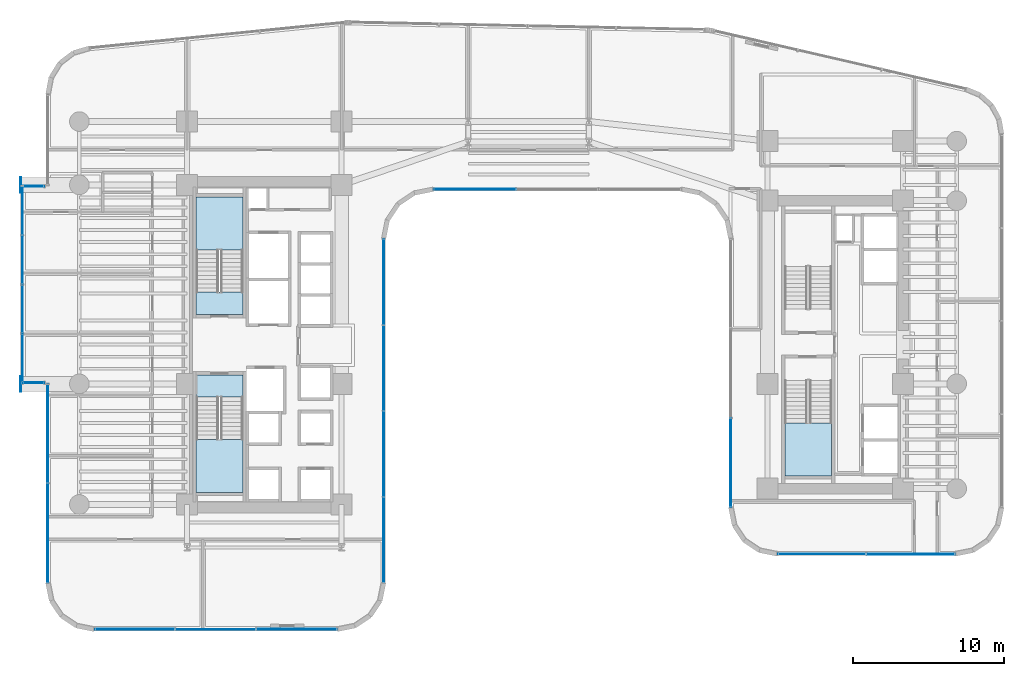
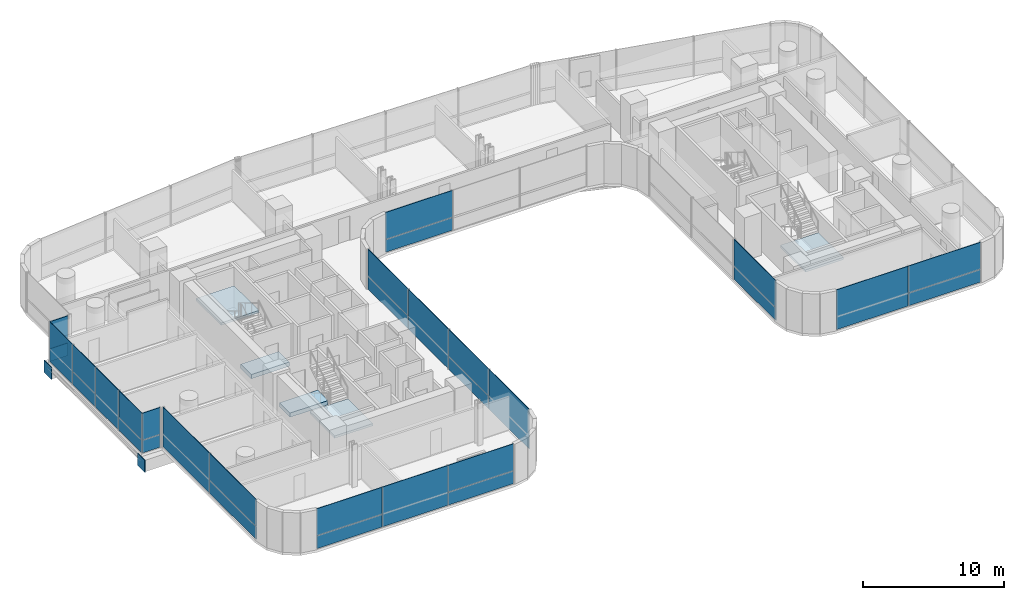
# One storey, part 27 of 38: 33 plates, 5 slabs, 12 elements without a shape of their own.
"""IFC4 building model written with IfcOpenShell, lengths in metres."""

from ifc_helpers import new_model, si_unit, direction, frame, origin, origin_2d, place, context, subcontext, project, spatial, polyline, rectangle, outline, extrude, source, transform, mapped, material, layer, layer_set, type_object, element, aggregate, save


model = new_model("IFC4")

# Units and contexts
model_context = context("Model", 3, precision=1e-05, world=origin(), true_north=direction((0.0, 1.0)))
body_context = subcontext(model_context, "Body", "Model", "MODEL_VIEW")
ifc_project = project(units=[si_unit("LENGTHUNIT", "METRE"), si_unit("AREAUNIT", "SQUARE_METRE"), si_unit("VOLUMEUNIT", "CUBIC_METRE"), si_unit("PLANEANGLEUNIT", "RADIAN"), si_unit("MASSUNIT", "GRAM", prefix="KILO")], contexts=[model_context])

# Site, building, storey
site_placement = place(None, origin())
site = spatial("IfcSite", under=ifc_project, at=site_placement, CompositionType="ELEMENT")
building_placement = place(site_placement, origin())
building = spatial("IfcBuilding", under=site, at=building_placement, Name="Valdorenza Pilgrim Sanctuary Tower", CompositionType="ELEMENT")
storey_placement = place(building_placement, frame((0.0, 0.0, 37.10009765625)))
storey = spatial("IfcBuildingStorey", under=building, at=storey_placement, Name="L08", CompositionType="ELEMENT", Elevation=37.10009765625)

# Stair, slab
ifc_material_1 = material(Name="Concrete C40/50", Category="concrete")
stair_type = type_object("IfcStairType", Name="STR-DOG-CORE", PredefinedType="HALF_TURN_STAIR", material=ifc_material_1)
stair_1_placement = place(storey_placement, origin())
stair_1 = element("IfcStair", 1, at=stair_1_placement, inside=storey, type_object=stair_type, Name="L08 ST-A1", PredefinedType="HALF_TURN_STAIR")
ifc_layer_1 = layer(ifc_material_1, 0.199951171875, Name="Concrete C40/50")
ifc_layer_set_1 = layer_set([ifc_layer_1], Name="Concrete C40/50")
slab_type_1 = type_object("IfcSlabType", Name="SLAB-STL-200", PredefinedType="LANDING", material=ifc_layer_set_1)
slab_1_placement = place(storey_placement, frame((0.0, 0.0, 1.64990234375)))
slab_1 = element("IfcSlab", 2, at=slab_1_placement, type_object=slab_type_1, Name="ST-A1 landing 1", PredefinedType="LANDING", context=body_context, shape_type="SweptSolid", body=[
    extrude(outline(polyline([(-18.93994140625, 6.280029296875), (-18.93994140625, 9.800048828125), (-22.050048828125, 9.800048828125), (-22.050048828125, 6.280029296875), (-18.93994140625, 6.280029296875)])), origin(), (0.0, 0.0, 1.0), 0.199951171875),
])
aggregate(stair_1, [slab_1])

stair_2_placement = place(storey_placement, origin())
stair_2 = element("IfcStair", 3, at=stair_2_placement, inside=storey, type_object=stair_type, Name="L08 ST-A2", PredefinedType="HALF_TURN_STAIR")
slab_2_placement = place(storey_placement, frame((0.0, 0.0, 1.64990234375)))
slab_2 = element("IfcSlab", 4, at=slab_2_placement, type_object=slab_type_1, Name="ST-A2 landing 1", PredefinedType="LANDING", context=body_context, shape_type="SweptSolid", body=[
    extrude(outline(polyline([(-22.050048828125, -6.280029296875), (-22.050048828125, -9.800048828125), (-18.93994140625, -9.800048828125), (-18.93994140625, -6.280029296875), (-22.050048828125, -6.280029296875)])), origin(), (0.0, 0.0, 1.0), 0.199951171875),
])
aggregate(stair_2, [slab_2])

stair_3_placement = place(storey_placement, origin())
stair_3 = element("IfcStair", 5, at=stair_3_placement, inside=storey, type_object=stair_type, Name="L08 ST-B2", PredefinedType="HALF_TURN_STAIR")
slab_3_placement = place(storey_placement, frame((0.0, 0.0, 1.64990234375)))
slab_3 = element("IfcSlab", 6, at=slab_3_placement, type_object=slab_type_1, Name="ST-B2 landing 1", PredefinedType="LANDING", context=body_context, shape_type="SweptSolid", body=[
    extrude(outline(polyline([(17.0, -5.179931640625), (17.0, -8.699951171875), (20.110107421875, -8.699951171875), (20.110107421875, -5.179931640625), (17.0, -5.179931640625)])), origin(), (0.0, 0.0, 1.0), 0.199951171875),
])
aggregate(stair_3, [slab_3])

# Slabs
ifc_material_2 = material(Name="Concrete C50/60", Category="concrete")
ifc_layer_2 = layer(ifc_material_2, 0.39990234375, Name="Concrete C50/60")
ifc_layer_set_2 = layer_set([ifc_layer_2], Name="Concrete C50/60")
slab_type_2 = type_object("IfcSlabType", Name="SLAB-TRF-400", PredefinedType="FLOOR", material=ifc_layer_set_2)
slab_4_placement = place(storey_placement, frame((0.0, 0.0, -0.360107421875)))
element("IfcSlab", 7, at=slab_4_placement, inside=storey, type_object=slab_type_2, Name="L08 ST-A1 Structural Stair Landing Bearing Slab", PredefinedType="FLOOR", context=body_context, shape_type="SweptSolid", body=[
    extrude(outline(polyline([(-22.050048828125, 2.0), (-18.93994140625, 2.0), (-18.93994140625, 3.485107421875), (-22.050048828125, 3.485107421875), (-22.050048828125, 2.0)])), origin(), (0.0, 0.0, 1.0), 0.360107421875),
])
slab_5_placement = place(storey_placement, frame((0.0, 0.0, -0.360107421875)))
element("IfcSlab", 8, at=slab_5_placement, inside=storey, type_object=slab_type_2, Name="L08 ST-A2 Structural Stair Landing Bearing Slab", PredefinedType="FLOOR", context=body_context, shape_type="SweptSolid", body=[
    extrude(outline(polyline([(-22.050048828125, -3.485107421875), (-18.93994140625, -3.485107421875), (-18.93994140625, -2.0), (-22.050048828125, -2.0), (-22.050048828125, -3.485107421875)])), origin(), (0.0, 0.0, 1.0), 0.360107421875),
])

# Plates
ifc_material_3 = material(Name="Steel ASTM A572 Grade 42", Category="steel")
ifc_layer_3 = layer(ifc_material_3, 0.06005859375, Name="Steel ASTM A572 Grade 42")
ifc_layer_set_3 = layer_set([ifc_layer_3], Name="Steel ASTM A572 Grade 42")
plate_type_1 = type_object("IfcPlateType", Name="PLT-CAP-60", PredefinedType="SHEET", material=ifc_layer_set_3)
shared_shape_1 = source(origin(), body_context, "Body", "SweptSolid", [
    extrude(rectangle(XDim=0.06005859375, YDim=1.0400390625, at=origin_2d()), origin(), (0.0, 0.0, 1.0), 1.0400390625),
])
for number, where, z_axis, x_axis, name in (
    (9, (-33.679931640625, 10.60009765625, -1.260009765625), (0.0, 0.0, 1.0), (1.0, 0.0, 0.0), "L08 BOX-WA-L08 Cantilever Tip End Cap N"),
    (10, (-33.679931640625, -2.60009765625, -1.260009765625), (0.0, 0.0, 1.0), (1.0, 0.0, 0.0), "L08 BOX-WA-L08 Cantilever Tip End Cap S"),
):
    element("IfcPlate", number, at=place(storey_placement, frame(where, z_axis=z_axis, x_axis=x_axis)), inside=storey, type_object=plate_type_1, Name=name, PredefinedType="SHEET", context=body_context, shape_type="MappedRepresentation", body=[
        mapped(shared_shape_1, transform((0.0, 0.0, 0.0), x_axis=(1.0, 0.0, 0.0), y_axis=(0.0, 1.0, 0.0), z_axis=(0.0, 0.0, 1.0), scale=1.0)),
    ])

# Curtain wall, plates
ifc_material_4 = material(Name="Curtain-wall IGU glazing", Category="glass")
curtain_wall_type_1 = type_object("IfcCurtainWallType", Name="CW-SYS-03", PredefinedType="NOTDEFINED", material=ifc_material_4)
curtain_wall_1_placement = place(storey_placement, origin())
curtain_wall_1 = element("IfcCurtainWall", 11, at=curtain_wall_1_placement, inside=storey, type_object=curtain_wall_type_1, Name="L08 Curtain Wall CW-L08-1-26", PredefinedType="NOTDEFINED")
ifc_material_5 = material(Name="Honed travertine limestone", Category="masonry")
ifc_layer_4 = layer(ifc_material_5, 0.050048828125, Name="Honed travertine limestone")
ifc_layer_set_4 = layer_set([ifc_layer_4], Name="Honed travertine limestone")
plate_type_2 = type_object("IfcPlateType", Name="CW-SPN-TRV", PredefinedType="USERDEFINED", material=ifc_layer_set_4)
shared_shape_2 = source(origin(), body_context, "Body", "SweptSolid", [
    extrude(rectangle(XDim=5.869140625, YDim=0.06005859375, at=origin_2d()), origin(), (0.0, 0.0, 1.0), 1.10009765625),
])
plate_1_placement = place(storey_placement, frame((25.344482421875, -13.889892578125, 0.009765625), z_axis=(0.0, 0.0, 1.0), x_axis=(-1.0, 0.0, 0.0)))
plate_1 = element("IfcPlate", 12, at=plate_1_placement, type_object=plate_type_2, Name="CW-L08-1-26 Travertine Spandrel 1", ObjectType="SPANDREL", PredefinedType="USERDEFINED", context=body_context, shape_type="MappedRepresentation", body=[
    mapped(shared_shape_2, transform((0.0, 0.0, 0.0), x_axis=(1.0, 0.0, 0.0), y_axis=(0.0, 1.0, 0.0), z_axis=(0.0, 0.0, 1.0), scale=1.0)),
])
ifc_material_6 = material(Name="Ceramic-fritted low-E IGU glazing", Category="glass")
ifc_layer_5 = layer(ifc_material_6, 0.035888671875, Name="Ceramic-fritted low-E IGU glazing")
ifc_layer_set_5 = layer_set([ifc_layer_5], Name="Ceramic-fritted low-E IGU glazing")
plate_type_3 = type_object("IfcPlateType", Name="CW-GLZ-IGU", PredefinedType="USERDEFINED", material=ifc_layer_set_5)
shared_shape_3 = source(origin(), body_context, "Body", "SweptSolid", [
    extrude(rectangle(XDim=5.869140625, YDim=0.050048828125, at=origin_2d()), origin(), (0.0, 0.0, 1.0), 2.320068359375),
])
plate_2_placement = place(storey_placement, frame((25.344482421875, -13.889892578125, 1.1298828125), z_axis=(0.0, 0.0, 1.0), x_axis=(-1.0, 0.0, 0.0)))
plate_2 = element("IfcPlate", 13, at=plate_2_placement, type_object=plate_type_3, Name="CW-L08-1-26 Facade Panel 1", ObjectType="GLAZING", PredefinedType="USERDEFINED", context=body_context, shape_type="MappedRepresentation", body=[
    mapped(shared_shape_3, transform((0.0, 0.0, 0.0), x_axis=(1.0, 0.0, 0.0), y_axis=(0.0, 1.0, 0.0), z_axis=(0.0, 0.0, 1.0), scale=1.0)),
])
shared_shape_4 = source(origin(), body_context, "Body", "SweptSolid", [
    extrude(rectangle(XDim=5.869140625, YDim=0.050048828125, at=origin_2d()), origin(), (0.0, 0.0, 1.0), 3.43994140625),
])
plate_3_placement = place(storey_placement, frame((19.455322265625, -13.889892578125, 0.010009765625), z_axis=(0.0, 0.0, 1.0), x_axis=(-1.0, 0.0, 0.0)))
plate_3 = element("IfcPlate", 14, at=plate_3_placement, type_object=plate_type_3, Name="CW-L08-1-26 Full-Height Facade Panel 2", ObjectType="GLAZING", PredefinedType="USERDEFINED", context=body_context, shape_type="MappedRepresentation", body=[
    mapped(shared_shape_4, transform((0.0, 0.0, 0.0), x_axis=(1.0, 0.0, 0.0), y_axis=(0.0, 1.0, 0.0), z_axis=(0.0, 0.0, 1.0), scale=1.0)),
])
aggregate(curtain_wall_1, [plate_1, plate_2, plate_3])

curtain_wall_2_placement = place(storey_placement, origin())
curtain_wall_2 = element("IfcCurtainWall", 15, at=curtain_wall_2_placement, inside=storey, type_object=curtain_wall_type_1, Name="L08 Curtain Wall CW-L08-1-31", PredefinedType="NOTDEFINED")
shared_shape_5 = source(origin(), body_context, "Body", "SweptSolid", [
    extrude(rectangle(XDim=5.913330078125, YDim=0.06005859375, at=origin_2d()), origin(), (0.0, 0.0, 1.0), 1.10009765625),
])
plate_4_placement = place(storey_placement, frame((13.409912109375, -7.822509765625, 0.009765625), z_axis=(0.0, 0.0, 1.0), x_axis=(0.0, 1.0, 0.0)))
plate_4 = element("IfcPlate", 16, at=plate_4_placement, type_object=plate_type_2, Name="CW-L08-1-31 Travertine Spandrel 1", ObjectType="SPANDREL", PredefinedType="USERDEFINED", context=body_context, shape_type="MappedRepresentation", body=[
    mapped(shared_shape_5, transform((0.0, 0.0, 0.0), x_axis=(1.0, 0.0, 0.0), y_axis=(0.0, 1.0, 0.0), z_axis=(0.0, 0.0, 1.0), scale=1.0)),
])
shared_shape_6 = source(origin(), body_context, "Body", "SweptSolid", [
    extrude(rectangle(XDim=5.913330078125, YDim=0.050048828125, at=origin_2d()), origin(), (0.0, 0.0, 1.0), 2.320068359375),
])
plate_5_placement = place(storey_placement, frame((13.409912109375, -7.822509765625, 1.1298828125), z_axis=(0.0, 0.0, 1.0), x_axis=(0.0, 1.0, 0.0)))
plate_5 = element("IfcPlate", 17, at=plate_5_placement, type_object=plate_type_3, Name="CW-L08-1-31 Facade Panel 1", ObjectType="GLAZING", PredefinedType="USERDEFINED", context=body_context, shape_type="MappedRepresentation", body=[
    mapped(shared_shape_6, transform((0.0, 0.0, 0.0), x_axis=(1.0, 0.0, 0.0), y_axis=(0.0, 1.0, 0.0), z_axis=(0.0, 0.0, 1.0), scale=1.0)),
])
aggregate(curtain_wall_2, [plate_4, plate_5])

curtain_wall_type_2 = type_object("IfcCurtainWallType", Name="CW-SYS-02", PredefinedType="NOTDEFINED", material=ifc_material_4)
curtain_wall_3_placement = place(storey_placement, origin())
curtain_wall_3 = element("IfcCurtainWall", 18, at=curtain_wall_3_placement, inside=storey, type_object=curtain_wall_type_2, Name="L08 Curtain Wall CW-L08-1-36", PredefinedType="NOTDEFINED")
shared_shape_7 = source(origin(), body_context, "Body", "SweptSolid", [
    extrude(rectangle(XDim=5.453857421875, YDim=0.06005859375, at=origin_2d()), origin(), (0.0, 0.0, 1.0), 1.10009765625),
])
plate_6_placement = place(storey_placement, frame((-3.573974609375, 10.31005859375, 0.009765625), z_axis=(0.0, 0.0, 1.0), x_axis=(-1.0, 0.0, 0.0)))
plate_6 = element("IfcPlate", 19, at=plate_6_placement, type_object=plate_type_2, Name="CW-L08-1-36 Travertine Spandrel 3", ObjectType="SPANDREL", PredefinedType="USERDEFINED", context=body_context, shape_type="MappedRepresentation", body=[
    mapped(shared_shape_7, transform((0.0, 0.0, 0.0), x_axis=(1.0, 0.0, 0.0), y_axis=(0.0, 1.0, 0.0), z_axis=(0.0, 0.0, 1.0), scale=1.0)),
])
shared_shape_8 = source(origin(), body_context, "Body", "SweptSolid", [
    extrude(rectangle(XDim=5.453857421875, YDim=0.050048828125, at=origin_2d()), origin(), (0.0, 0.0, 1.0), 2.320068359375),
])
plate_7_placement = place(storey_placement, frame((-3.573974609375, 10.31005859375, 1.1298828125), z_axis=(0.0, 0.0, 1.0), x_axis=(-1.0, 0.0, 0.0)))
plate_7 = element("IfcPlate", 20, at=plate_7_placement, type_object=plate_type_3, Name="CW-L08-1-36 Facade Panel 3", ObjectType="GLAZING", PredefinedType="USERDEFINED", context=body_context, shape_type="MappedRepresentation", body=[
    mapped(shared_shape_8, transform((0.0, 0.0, 0.0), x_axis=(1.0, 0.0, 0.0), y_axis=(0.0, 1.0, 0.0), z_axis=(0.0, 0.0, 1.0), scale=1.0)),
])
aggregate(curtain_wall_3, [plate_6, plate_7])

curtain_wall_4_placement = place(storey_placement, origin())
curtain_wall_4 = element("IfcCurtainWall", 21, at=curtain_wall_4_placement, inside=storey, type_object=curtain_wall_type_2, Name="L08 Curtain Wall CW-L08-1-41", PredefinedType="NOTDEFINED")
shared_shape_9 = source(origin(), body_context, "Body", "SweptSolid", [
    extrude(rectangle(XDim=5.679931640625, YDim=0.06005859375, at=origin_2d()), origin(), (0.0, 0.0, 1.0), 1.10009765625),
])
plate_8_placement = place(storey_placement, frame((-9.610107421875, 4.160888671875, 0.009765625), z_axis=(0.0, 0.0, 1.0), x_axis=(0.0, -1.0, 0.0)))
plate_8 = element("IfcPlate", 22, at=plate_8_placement, type_object=plate_type_2, Name="CW-L08-1-41 Travertine Spandrel 1", ObjectType="SPANDREL", PredefinedType="USERDEFINED", context=body_context, shape_type="MappedRepresentation", body=[
    mapped(shared_shape_9, transform((0.0, 0.0, 0.0), x_axis=(1.0, 0.0, 0.0), y_axis=(0.0, 1.0, 0.0), z_axis=(0.0, 0.0, 1.0), scale=1.0)),
])
plate_9_placement = place(storey_placement, frame((-9.610107421875, -7.2392578125, 0.009765625), z_axis=(0.0, 0.0, 1.0), x_axis=(0.0, -1.0, 0.0)))
plate_9 = element("IfcPlate", 23, at=plate_9_placement, type_object=plate_type_2, Name="CW-L08-1-41 Travertine Spandrel 3", ObjectType="SPANDREL", PredefinedType="USERDEFINED", context=body_context, shape_type="MappedRepresentation", body=[
    mapped(shared_shape_9, transform((0.0, 0.0, 0.0), x_axis=(1.0, 0.0, 0.0), y_axis=(0.0, 1.0, 0.0), z_axis=(0.0, 0.0, 1.0), scale=1.0)),
])
shared_shape_10 = source(origin(), body_context, "Body", "SweptSolid", [
    extrude(rectangle(XDim=5.679931640625, YDim=0.050048828125, at=origin_2d()), origin(), (0.0, 0.0, 1.0), 2.320068359375),
])
plate_10_placement = place(storey_placement, frame((-9.610107421875, 4.160888671875, 1.1298828125), z_axis=(0.0, 0.0, 1.0), x_axis=(0.0, -1.0, 0.0)))
plate_10 = element("IfcPlate", 24, at=plate_10_placement, type_object=plate_type_3, Name="CW-L08-1-41 Facade Panel 1", ObjectType="GLAZING", PredefinedType="USERDEFINED", context=body_context, shape_type="MappedRepresentation", body=[
    mapped(shared_shape_10, transform((0.0, 0.0, 0.0), x_axis=(1.0, 0.0, 0.0), y_axis=(0.0, 1.0, 0.0), z_axis=(0.0, 0.0, 1.0), scale=1.0)),
])
plate_11_placement = place(storey_placement, frame((-9.610107421875, -7.2392578125, 1.1298828125), z_axis=(0.0, 0.0, 1.0), x_axis=(0.0, -1.0, 0.0)))
plate_11 = element("IfcPlate", 25, at=plate_11_placement, type_object=plate_type_3, Name="CW-L08-1-41 Facade Panel 3", ObjectType="GLAZING", PredefinedType="USERDEFINED", context=body_context, shape_type="MappedRepresentation", body=[
    mapped(shared_shape_10, transform((0.0, 0.0, 0.0), x_axis=(1.0, 0.0, 0.0), y_axis=(0.0, 1.0, 0.0), z_axis=(0.0, 0.0, 1.0), scale=1.0)),
])
shared_shape_11 = source(origin(), body_context, "Body", "SweptSolid", [
    extrude(rectangle(XDim=5.679931640625, YDim=0.050048828125, at=origin_2d()), origin(), (0.0, 0.0, 1.0), 3.43994140625),
])
plate_12_placement = place(storey_placement, frame((-9.610107421875, -1.539306640625, 0.010009765625), z_axis=(0.0, 0.0, 1.0), x_axis=(0.0, -1.0, 0.0)))
plate_12 = element("IfcPlate", 26, at=plate_12_placement, type_object=plate_type_3, Name="CW-L08-1-41 Full-Height Facade Panel 2", ObjectType="GLAZING", PredefinedType="USERDEFINED", context=body_context, shape_type="MappedRepresentation", body=[
    mapped(shared_shape_11, transform((0.0, 0.0, 0.0), x_axis=(1.0, 0.0, 0.0), y_axis=(0.0, 1.0, 0.0), z_axis=(0.0, 0.0, 1.0), scale=1.0)),
])
plate_13_placement = place(storey_placement, frame((-9.610107421875, -12.939208984375, 0.010009765625), z_axis=(0.0, 0.0, 1.0), x_axis=(0.0, -1.0, 0.0)))
plate_13 = element("IfcPlate", 27, at=plate_13_placement, type_object=plate_type_3, Name="CW-L08-1-41 Full-Height Facade Panel 4", ObjectType="GLAZING", PredefinedType="USERDEFINED", context=body_context, shape_type="MappedRepresentation", body=[
    mapped(shared_shape_11, transform((0.0, 0.0, 0.0), x_axis=(1.0, 0.0, 0.0), y_axis=(0.0, 1.0, 0.0), z_axis=(0.0, 0.0, 1.0), scale=1.0)),
])
aggregate(curtain_wall_4, [plate_8, plate_10, plate_12, plate_9, plate_11, plate_13])

curtain_wall_5_placement = place(storey_placement, origin())
curtain_wall_5 = element("IfcCurtainWall", 28, at=curtain_wall_5_placement, inside=storey, type_object=curtain_wall_type_2, Name="L08 Curtain Wall CW-L08-1-46", PredefinedType="NOTDEFINED")
shared_shape_12 = source(origin(), body_context, "Body", "SweptSolid", [
    extrude(rectangle(XDim=5.339599609375, YDim=0.06005859375, at=origin_2d()), origin(), (0.0, 0.0, 1.0), 1.10009765625),
])
plate_14_placement = place(storey_placement, frame((-15.390380859375, -18.889892578125, 0.009765625), z_axis=(0.0, 0.0, 1.0), x_axis=(-1.0, 0.0, 0.0)))
plate_14 = element("IfcPlate", 29, at=plate_14_placement, type_object=plate_type_2, Name="CW-L08-1-46 Travertine Spandrel 1", ObjectType="SPANDREL", PredefinedType="USERDEFINED", context=body_context, shape_type="MappedRepresentation", body=[
    mapped(shared_shape_12, transform((0.0, 0.0, 0.0), x_axis=(1.0, 0.0, 0.0), y_axis=(0.0, 1.0, 0.0), z_axis=(0.0, 0.0, 1.0), scale=1.0)),
])
plate_15_placement = place(storey_placement, frame((-26.109619140625, -18.889892578125, 0.009765625), z_axis=(0.0, 0.0, 1.0), x_axis=(-1.0, 0.0, 0.0)))
plate_15 = element("IfcPlate", 30, at=plate_15_placement, type_object=plate_type_2, Name="CW-L08-1-46 Travertine Spandrel 3", ObjectType="SPANDREL", PredefinedType="USERDEFINED", context=body_context, shape_type="MappedRepresentation", body=[
    mapped(shared_shape_12, transform((0.0, 0.0, 0.0), x_axis=(1.0, 0.0, 0.0), y_axis=(0.0, 1.0, 0.0), z_axis=(0.0, 0.0, 1.0), scale=1.0)),
])
shared_shape_13 = source(origin(), body_context, "Body", "SweptSolid", [
    extrude(rectangle(XDim=5.339599609375, YDim=0.050048828125, at=origin_2d()), origin(), (0.0, 0.0, 1.0), 2.320068359375),
])
plate_16_placement = place(storey_placement, frame((-15.390380859375, -18.889892578125, 1.1298828125), z_axis=(0.0, 0.0, 1.0), x_axis=(-1.0, 0.0, 0.0)))
plate_16 = element("IfcPlate", 31, at=plate_16_placement, type_object=plate_type_3, Name="CW-L08-1-46 Facade Panel 1", ObjectType="GLAZING", PredefinedType="USERDEFINED", context=body_context, shape_type="MappedRepresentation", body=[
    mapped(shared_shape_13, transform((0.0, 0.0, 0.0), x_axis=(1.0, 0.0, 0.0), y_axis=(0.0, 1.0, 0.0), z_axis=(0.0, 0.0, 1.0), scale=1.0)),
])
plate_17_placement = place(storey_placement, frame((-26.109619140625, -18.889892578125, 1.1298828125), z_axis=(0.0, 0.0, 1.0), x_axis=(-1.0, 0.0, 0.0)))
plate_17 = element("IfcPlate", 32, at=plate_17_placement, type_object=plate_type_3, Name="CW-L08-1-46 Facade Panel 3", ObjectType="GLAZING", PredefinedType="USERDEFINED", context=body_context, shape_type="MappedRepresentation", body=[
    mapped(shared_shape_13, transform((0.0, 0.0, 0.0), x_axis=(1.0, 0.0, 0.0), y_axis=(0.0, 1.0, 0.0), z_axis=(0.0, 0.0, 1.0), scale=1.0)),
])
shared_shape_14 = source(origin(), body_context, "Body", "SweptSolid", [
    extrude(rectangle(XDim=5.339599609375, YDim=0.050048828125, at=origin_2d()), origin(), (0.0, 0.0, 1.0), 3.43994140625),
])
plate_18_placement = place(storey_placement, frame((-20.75, -18.889892578125, 0.010009765625), z_axis=(0.0, 0.0, 1.0), x_axis=(-1.0, 0.0, 0.0)))
plate_18 = element("IfcPlate", 33, at=plate_18_placement, type_object=plate_type_3, Name="CW-L08-1-46 Full-Height Facade Panel 2", ObjectType="GLAZING", PredefinedType="USERDEFINED", context=body_context, shape_type="MappedRepresentation", body=[
    mapped(shared_shape_14, transform((0.0, 0.0, 0.0), x_axis=(1.0, 0.0, 0.0), y_axis=(0.0, 1.0, 0.0), z_axis=(0.0, 0.0, 1.0), scale=1.0)),
])
aggregate(curtain_wall_5, [plate_14, plate_16, plate_18, plate_15, plate_17])

# Curtain wall, plate
curtain_wall_6_placement = place(storey_placement, origin())
curtain_wall_6 = element("IfcCurtainWall", 34, at=curtain_wall_6_placement, inside=storey, type_object=curtain_wall_type_2, Name="L08 Curtain Wall CW-L08-BOX-WA-L08-S", PredefinedType="NOTDEFINED")
shared_shape_15 = source(origin(), body_context, "Body", "SweptSolid", [
    extrude(rectangle(XDim=1.43994140625, YDim=0.06005859375, at=origin_2d()), origin(), (0.0, 0.0, 1.0), 1.10009765625),
])
plate_19_placement = place(storey_placement, frame((-32.840087890625, -2.52001953125, 0.009765625), z_axis=(0.0, 0.0, 1.0), x_axis=(-1.0, 0.0, 0.0)))
plate_19 = element("IfcPlate", 35, at=plate_19_placement, type_object=plate_type_2, Name="CW-L08-BOX-WA-L08-S Travertine Spandrel 1", ObjectType="SPANDREL", PredefinedType="USERDEFINED", context=body_context, shape_type="MappedRepresentation", body=[
    mapped(shared_shape_15, transform((0.0, 0.0, 0.0), x_axis=(1.0, 0.0, 0.0), y_axis=(0.0, 1.0, 0.0), z_axis=(0.0, 0.0, 1.0), scale=1.0)),
])

curtain_wall_7_placement = place(storey_placement, origin())
curtain_wall_7 = element("IfcCurtainWall", 36, at=curtain_wall_7_placement, inside=storey, type_object=curtain_wall_type_2, Name="L08 Curtain Wall CW-L08-BOX-WA-L08-N", PredefinedType="NOTDEFINED")
plate_20_placement = place(storey_placement, frame((-32.840087890625, 10.52001953125, 0.009765625), z_axis=(0.0, 0.0, 1.0), x_axis=(1.0, 0.0, 0.0)))
plate_20 = element("IfcPlate", 37, at=plate_20_placement, type_object=plate_type_2, Name="CW-L08-BOX-WA-L08-N Travertine Spandrel 1", ObjectType="SPANDREL", PredefinedType="USERDEFINED", context=body_context, shape_type="MappedRepresentation", body=[
    mapped(shared_shape_15, transform((0.0, 0.0, 0.0), x_axis=(1.0, 0.0, 0.0), y_axis=(0.0, 1.0, 0.0), z_axis=(0.0, 0.0, 1.0), scale=1.0)),
])

# Plate
shared_shape_16 = source(origin(), body_context, "Body", "SweptSolid", [
    extrude(rectangle(XDim=1.43994140625, YDim=0.050048828125, at=origin_2d()), origin(), (0.0, 0.0, 1.0), 2.320068359375),
])
plate_21_placement = place(storey_placement, frame((-32.840087890625, -2.52001953125, 1.1298828125), z_axis=(0.0, 0.0, 1.0), x_axis=(-1.0, 0.0, 0.0)))
plate_21 = element("IfcPlate", 38, at=plate_21_placement, type_object=plate_type_3, Name="CW-L08-BOX-WA-L08-S Facade Panel 1", ObjectType="GLAZING", PredefinedType="USERDEFINED", context=body_context, shape_type="MappedRepresentation", body=[
    mapped(shared_shape_16, transform((0.0, 0.0, 0.0), x_axis=(1.0, 0.0, 0.0), y_axis=(0.0, 1.0, 0.0), z_axis=(0.0, 0.0, 1.0), scale=1.0)),
])

aggregate(curtain_wall_6, [plate_19, plate_21])

plate_22_placement = place(storey_placement, frame((-32.840087890625, 10.52001953125, 1.1298828125), z_axis=(0.0, 0.0, 1.0), x_axis=(1.0, 0.0, 0.0)))
plate_22 = element("IfcPlate", 39, at=plate_22_placement, type_object=plate_type_3, Name="CW-L08-BOX-WA-L08-N Facade Panel 1", ObjectType="GLAZING", PredefinedType="USERDEFINED", context=body_context, shape_type="MappedRepresentation", body=[
    mapped(shared_shape_16, transform((0.0, 0.0, 0.0), x_axis=(1.0, 0.0, 0.0), y_axis=(0.0, 1.0, 0.0), z_axis=(0.0, 0.0, 1.0), scale=1.0)),
])

aggregate(curtain_wall_7, [plate_20, plate_22])

# Curtain wall, plates
curtain_wall_8_placement = place(storey_placement, origin())
curtain_wall_8 = element("IfcCurtainWall", 40, at=curtain_wall_8_placement, inside=storey, type_object=curtain_wall_type_2, Name="L08 Curtain Wall CW-L08-1-1S1", PredefinedType="NOTDEFINED")
shared_shape_17 = source(origin(), body_context, "Body", "SweptSolid", [
    extrude(rectangle(XDim=6.57470703125, YDim=0.06005859375, at=origin_2d()), origin(), (0.0, 0.0, 1.0), 1.10009765625),
])
plate_23_placement = place(storey_placement, frame((-31.889892578125, -12.491943359375, 0.009765625), z_axis=(0.0, 0.0, 1.0), x_axis=(0.0, 1.0, 0.0)))
plate_23 = element("IfcPlate", 41, at=plate_23_placement, type_object=plate_type_2, Name="CW-L08-1-1S1 Travertine Spandrel 1", ObjectType="SPANDREL", PredefinedType="USERDEFINED", context=body_context, shape_type="MappedRepresentation", body=[
    mapped(shared_shape_17, transform((0.0, 0.0, 0.0), x_axis=(1.0, 0.0, 0.0), y_axis=(0.0, 1.0, 0.0), z_axis=(0.0, 0.0, 1.0), scale=1.0)),
])
shared_shape_18 = source(origin(), body_context, "Body", "SweptSolid", [
    extrude(rectangle(XDim=6.57470703125, YDim=0.050048828125, at=origin_2d()), origin(), (0.0, 0.0, 1.0), 2.320068359375),
])
plate_24_placement = place(storey_placement, frame((-31.889892578125, -12.491943359375, 1.1298828125), z_axis=(0.0, 0.0, 1.0), x_axis=(0.0, 1.0, 0.0)))
plate_24 = element("IfcPlate", 42, at=plate_24_placement, type_object=plate_type_3, Name="CW-L08-1-1S1 Facade Panel 1", ObjectType="GLAZING", PredefinedType="USERDEFINED", context=body_context, shape_type="MappedRepresentation", body=[
    mapped(shared_shape_18, transform((0.0, 0.0, 0.0), x_axis=(1.0, 0.0, 0.0), y_axis=(0.0, 1.0, 0.0), z_axis=(0.0, 0.0, 1.0), scale=1.0)),
])
shared_shape_19 = source(origin(), body_context, "Body", "SweptSolid", [
    extrude(rectangle(XDim=6.57470703125, YDim=0.050048828125, at=origin_2d()), origin(), (0.0, 0.0, 1.0), 3.43994140625),
])
plate_25_placement = place(storey_placement, frame((-31.889892578125, -5.897216796875, 0.010009765625), z_axis=(0.0, 0.0, 1.0), x_axis=(0.0, 1.0, 0.0)))
plate_25 = element("IfcPlate", 43, at=plate_25_placement, type_object=plate_type_3, Name="CW-L08-1-1S1 Full-Height Facade Panel 2", ObjectType="GLAZING", PredefinedType="USERDEFINED", context=body_context, shape_type="MappedRepresentation", body=[
    mapped(shared_shape_19, transform((0.0, 0.0, 0.0), x_axis=(1.0, 0.0, 0.0), y_axis=(0.0, 1.0, 0.0), z_axis=(0.0, 0.0, 1.0), scale=1.0)),
])
aggregate(curtain_wall_8, [plate_23, plate_24, plate_25])

curtain_wall_9_placement = place(storey_placement, origin())
curtain_wall_9 = element("IfcCurtainWall", 44, at=curtain_wall_9_placement, inside=storey, type_object=curtain_wall_type_2, Name="L08 Curtain Wall CW-L08-BOX-WA-L08-F", PredefinedType="NOTDEFINED")
shared_shape_20 = source(origin(), body_context, "Body", "SweptSolid", [
    extrude(rectangle(XDim=3.239990234375, YDim=0.06005859375, at=origin_2d()), origin(), (0.0, 0.0, 1.0), 1.10009765625),
])
plate_26_placement = place(storey_placement, frame((-33.570068359375, -0.889892578125, 0.009765625), z_axis=(0.0, 0.0, 1.0), x_axis=(0.0, 1.0, 0.0)))
plate_26 = element("IfcPlate", 45, at=plate_26_placement, type_object=plate_type_2, Name="CW-L08-BOX-WA-L08-F Travertine Spandrel 1", ObjectType="SPANDREL", PredefinedType="USERDEFINED", context=body_context, shape_type="MappedRepresentation", body=[
    mapped(shared_shape_20, transform((0.0, 0.0, 0.0), x_axis=(1.0, 0.0, 0.0), y_axis=(0.0, 1.0, 0.0), z_axis=(0.0, 0.0, 1.0), scale=1.0)),
])
plate_27_placement = place(storey_placement, frame((-33.570068359375, 5.6298828125, 0.009765625), z_axis=(0.0, 0.0, 1.0), x_axis=(0.0, 1.0, 0.0)))
plate_27 = element("IfcPlate", 46, at=plate_27_placement, type_object=plate_type_2, Name="CW-L08-BOX-WA-L08-F Travertine Spandrel 3", ObjectType="SPANDREL", PredefinedType="USERDEFINED", context=body_context, shape_type="MappedRepresentation", body=[
    mapped(shared_shape_20, transform((0.0, 0.0, 0.0), x_axis=(1.0, 0.0, 0.0), y_axis=(0.0, 1.0, 0.0), z_axis=(0.0, 0.0, 1.0), scale=1.0)),
])
shared_shape_21 = source(origin(), body_context, "Body", "SweptSolid", [
    extrude(rectangle(XDim=3.239990234375, YDim=0.050048828125, at=origin_2d()), origin(), (0.0, 0.0, 1.0), 2.320068359375),
])
plate_28_placement = place(storey_placement, frame((-33.570068359375, -0.889892578125, 1.1298828125), z_axis=(0.0, 0.0, 1.0), x_axis=(0.0, 1.0, 0.0)))
plate_28 = element("IfcPlate", 47, at=plate_28_placement, type_object=plate_type_3, Name="CW-L08-BOX-WA-L08-F Facade Panel 1", ObjectType="GLAZING", PredefinedType="USERDEFINED", context=body_context, shape_type="MappedRepresentation", body=[
    mapped(shared_shape_21, transform((0.0, 0.0, 0.0), x_axis=(1.0, 0.0, 0.0), y_axis=(0.0, 1.0, 0.0), z_axis=(0.0, 0.0, 1.0), scale=1.0)),
])
plate_29_placement = place(storey_placement, frame((-33.570068359375, 5.6298828125, 1.1298828125), z_axis=(0.0, 0.0, 1.0), x_axis=(0.0, 1.0, 0.0)))
plate_29 = element("IfcPlate", 48, at=plate_29_placement, type_object=plate_type_3, Name="CW-L08-BOX-WA-L08-F Facade Panel 3", ObjectType="GLAZING", PredefinedType="USERDEFINED", context=body_context, shape_type="MappedRepresentation", body=[
    mapped(shared_shape_21, transform((0.0, 0.0, 0.0), x_axis=(1.0, 0.0, 0.0), y_axis=(0.0, 1.0, 0.0), z_axis=(0.0, 0.0, 1.0), scale=1.0)),
])
shared_shape_22 = source(origin(), body_context, "Body", "SweptSolid", [
    extrude(rectangle(XDim=3.239990234375, YDim=0.050048828125, at=origin_2d()), origin(), (0.0, 0.0, 1.0), 3.43994140625),
])
plate_30_placement = place(storey_placement, frame((-33.570068359375, 2.3701171875, 0.010009765625), z_axis=(0.0, 0.0, 1.0), x_axis=(0.0, 1.0, 0.0)))
plate_30 = element("IfcPlate", 49, at=plate_30_placement, type_object=plate_type_3, Name="CW-L08-BOX-WA-L08-F Full-Height Facade Panel 2", ObjectType="GLAZING", PredefinedType="USERDEFINED", context=body_context, shape_type="MappedRepresentation", body=[
    mapped(shared_shape_22, transform((0.0, 0.0, 0.0), x_axis=(1.0, 0.0, 0.0), y_axis=(0.0, 1.0, 0.0), z_axis=(0.0, 0.0, 1.0), scale=1.0)),
])
plate_31_placement = place(storey_placement, frame((-33.570068359375, 8.889892578125, 0.010009765625), z_axis=(0.0, 0.0, 1.0), x_axis=(0.0, 1.0, 0.0)))
plate_31 = element("IfcPlate", 50, at=plate_31_placement, type_object=plate_type_3, Name="CW-L08-BOX-WA-L08-F Full-Height Facade Panel 4", ObjectType="GLAZING", PredefinedType="USERDEFINED", context=body_context, shape_type="MappedRepresentation", body=[
    mapped(shared_shape_22, transform((0.0, 0.0, 0.0), x_axis=(1.0, 0.0, 0.0), y_axis=(0.0, 1.0, 0.0), z_axis=(0.0, 0.0, 1.0), scale=1.0)),
])
aggregate(curtain_wall_9, [plate_26, plate_28, plate_30, plate_27, plate_29, plate_31])

save(model, "model.ifc")
